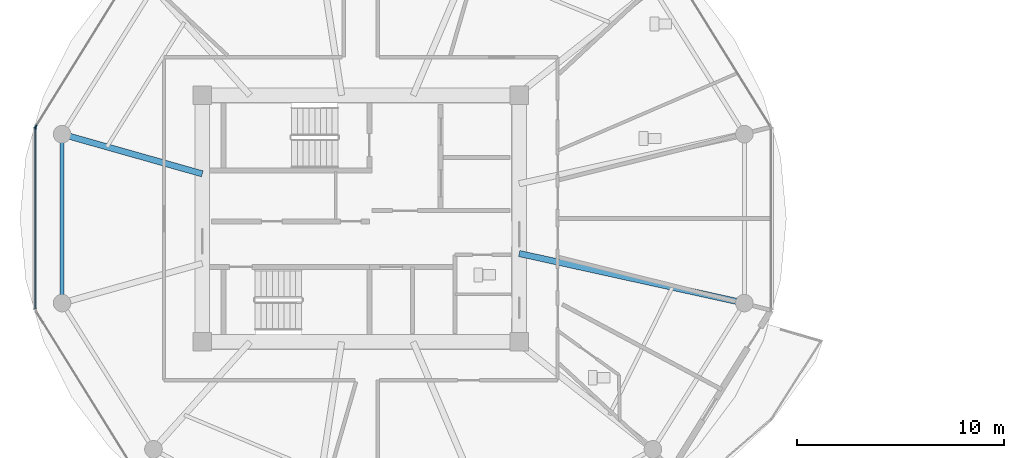
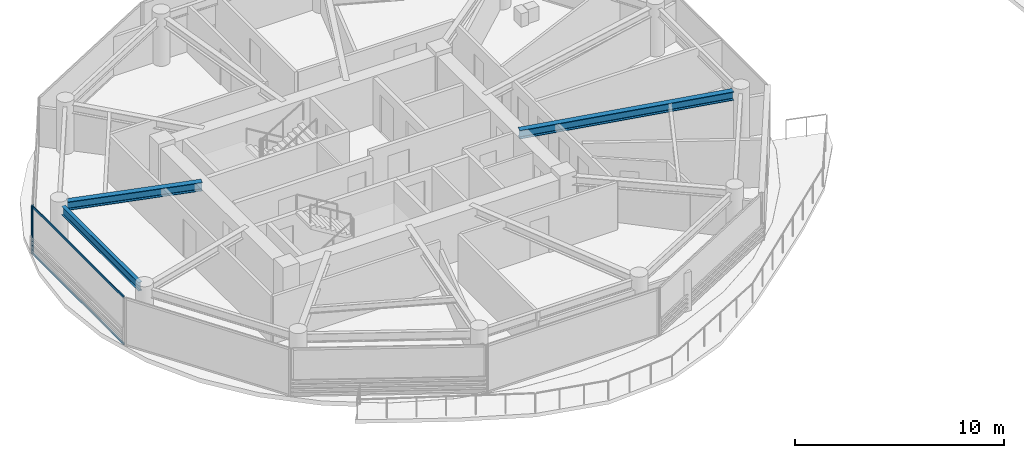
# One storey, part 3 of 24: 4 members, 3 beams, 2 elements without a shape of their own.
"""IFC4 building model written with IfcOpenShell, lengths in metres."""

import ifcopenshell
import ifcopenshell.guid

model = None  # the IFC model being written
_history = None  # IfcOwnerHistory: only IFC2X3 demands one
_inside = {}  # id of a spatial element -> (the spatial element, [elements in it])
_under = {}  # id of a project, library or spatial element -> (it, [spatial elements below it])
_declared = {}  # id of a project -> (the project, [libraries it declares])
_typed = {}  # id of a type object -> (the type object, [elements of that type])
_made_of = {}  # id of a material, layer set ... -> (it, [elements and type objects made of it])


def new_model(schema):
    """Start an empty IFC model of exactly this schema.

    Asked for "IFC4X3", IfcOpenShell would pick the latest addendum, in which some entities
    have other attributes; the version numbers below select the first issue.
    IFC2X3 requires an IfcOwnerHistory on every rooted entity: one is made here for all.
    """
    global model, _history
    if schema == "IFC4X3":
        model = ifcopenshell.file(schema_version=(4, 3, 0, 0))
    else:
        model = ifcopenshell.file(schema=schema)
    _inside.clear()
    _under.clear()
    _declared.clear()
    _typed.clear()
    _made_of.clear()
    _history = None
    if model.schema == "IFC2X3":
        org = make("IfcOrganization", Name="unknown")
        user = make(
            "IfcPersonAndOrganization",
            ThePerson=make("IfcPerson", FamilyName="unknown"),
            TheOrganization=org,
        )
        app = make(
            "IfcApplication",
            ApplicationDeveloper=org,
            Version="unknown",
            ApplicationFullName="unknown",
            ApplicationIdentifier="unknown",
        )
        _history = make(
            "IfcOwnerHistory",
            OwningUser=user,
            OwningApplication=app,
            ChangeAction="ADDED",
            CreationDate=0,
        )
    return model


def make(cls, **values):
    """One entity of the class cls with the attributes given. An attribute that is None is left unset."""
    return model.create_entity(
        cls, **{name: value for name, value in values.items() if value is not None}
    )


def rooted(cls, **values):
    """An entity with a GlobalId (a new one), such as an element, a storey or a relation."""
    return make(cls, GlobalId=ifcopenshell.guid.new(), OwnerHistory=_history, **values)


def si_unit(unit_type, name, prefix=None):
    """IfcSIUnit, for example si_unit("LENGTHUNIT", "METRE", prefix="MILLI")."""
    return make("IfcSIUnit", UnitType=unit_type, Prefix=prefix, Name=name)


def assignment(units):
    """IfcUnitAssignment: the units of a project."""
    return None if units is None else make("IfcUnitAssignment", Units=units)


def point(xyz):
    """IfcCartesianPoint."""
    return None if xyz is None else make("IfcCartesianPoint", Coordinates=xyz)


def direction(xyz):
    """IfcDirection."""
    return None if xyz is None else make("IfcDirection", DirectionRatios=xyz)


def frame(location, z_axis=None, x_axis=None):
    """IfcAxis2Placement3D, a coordinate frame: its origin and axes. An axis left out is left unset."""
    return make(
        "IfcAxis2Placement3D",
        Location=point(location),
        Axis=direction(z_axis),
        RefDirection=direction(x_axis),
    )


def frame_2d(location, x_axis=None):
    """IfcAxis2Placement2D, a coordinate frame in the plane: its origin and x axis."""
    return make(
        "IfcAxis2Placement2D", Location=point(location), RefDirection=direction(x_axis)
    )


def origin():
    """The frame at (0, 0, 0) with its axes left unset."""
    return frame((0.0, 0.0, 0.0))


def origin_2d():
    """The frame at (0, 0) in the plane with its x axis left unset."""
    return frame_2d((0.0, 0.0))


def place(relative_to, where):
    """IfcLocalPlacement: puts the frame where relative to a parent placement (None: the world)."""
    return make(
        "IfcLocalPlacement", PlacementRelTo=relative_to, RelativePlacement=where
    )


def context(
    kind, dimensions, precision=None, world=None, true_north=None, identifier=None
):
    """IfcGeometricRepresentationContext, for example the 3D "Model" context."""
    return make(
        "IfcGeometricRepresentationContext",
        ContextIdentifier=identifier,
        ContextType=kind,
        CoordinateSpaceDimension=dimensions,
        Precision=precision,
        WorldCoordinateSystem=world,
        TrueNorth=true_north,
    )


def subcontext(parent, identifier, kind, view, scale=None):
    """IfcGeometricRepresentationSubContext, for example "Body" below "Model"."""
    return make(
        "IfcGeometricRepresentationSubContext",
        ContextIdentifier=identifier,
        ContextType=kind,
        ParentContext=parent,
        TargetScale=scale,
        TargetView=view,
    )


def project(units=None, contexts=None):
    """IfcProject with its units and contexts."""
    return rooted(
        "IfcProject",
        Name="project",
        RepresentationContexts=contexts,
        UnitsInContext=assignment(units),
    )


def spatial(cls, under=None, at=None, **own):
    """A site, building, storey or space (cls), placed at a placement, below another one or the project."""
    s = rooted(cls, ObjectPlacement=at, **own)
    if under is not None:
        _under.setdefault(under.id(), (under, []))[1].append(s)
    return s


def profile(cls, at=None, kind="AREA", **sizes):
    """A parametric profile (cls). Its sizes go by their IFC names, for example OverallWidth=200.0."""
    return make(cls, ProfileType=kind, Position=at, **sizes)


def rectangle(**sizes):
    """IfcRectangleProfileDef."""
    return profile("IfcRectangleProfileDef", **sizes)


def i_section(**sizes):
    """IfcIShapeProfileDef."""
    return profile("IfcIShapeProfileDef", **sizes)


def extrude(swept, where, along, depth):
    """IfcExtrudedAreaSolid: the profile swept, set in the frame where, extruded along a direction by depth."""
    return make(
        "IfcExtrudedAreaSolid",
        SweptArea=swept,
        Position=where,
        ExtrudedDirection=direction(along),
        Depth=depth,
    )


def shape(context_of_items, identifier, shape_type, items):
    """IfcShapeRepresentation: the items that make up one representation, for example the "Body"."""
    return make(
        "IfcShapeRepresentation",
        ContextOfItems=context_of_items,
        RepresentationIdentifier=identifier,
        RepresentationType=shape_type,
        Items=items,
    )


def source(mapping_origin, context_of_items, identifier, shape_type, items):
    """IfcRepresentationMap: a shape defined once, which mapped items show again and again."""
    return make(
        "IfcRepresentationMap",
        MappingOrigin=mapping_origin,
        MappedRepresentation=shape(context_of_items, identifier, shape_type, items),
    )


def transform(
    local_origin,
    x_axis=None,
    y_axis=None,
    z_axis=None,
    scale=None,
    scale2=None,
    scale3=None,
    uniform=True,
):
    """IfcCartesianTransformationOperator3D, or its non-uniform kind. x_axis, y_axis, z_axis: its Axis1, 2, 3."""
    if uniform:
        return make(
            "IfcCartesianTransformationOperator3D",
            Axis1=direction(x_axis),
            Axis2=direction(y_axis),
            LocalOrigin=point(local_origin),
            Scale=scale,
            Axis3=direction(z_axis),
        )
    return make(
        "IfcCartesianTransformationOperator3DnonUniform",
        Axis1=direction(x_axis),
        Axis2=direction(y_axis),
        LocalOrigin=point(local_origin),
        Scale=scale,
        Axis3=direction(z_axis),
        Scale2=scale2,
        Scale3=scale3,
    )


def mapped(mapping_source, mapping_target):
    """IfcMappedItem: shows the shape of a source again, moved by a transform."""
    return make(
        "IfcMappedItem", MappingSource=mapping_source, MappingTarget=mapping_target
    )


def material(Name=None, Category=None):
    """IfcMaterial."""
    return make("IfcMaterial", Name=Name, Category=Category)


def layer(
    of_material, thickness, ventilated=None, Name=None, Category=None, Priority=None
):
    """IfcMaterialLayer: one layer of a wall or slab, of a material (None: an air gap)."""
    return make(
        "IfcMaterialLayer",
        Material=of_material,
        LayerThickness=thickness,
        IsVentilated=ventilated,
        Name=Name,
        Category=Category,
        Priority=Priority,
    )


def layer_set(layers, Name=None):
    """IfcMaterialLayerSet."""
    return make("IfcMaterialLayerSet", MaterialLayers=layers, LayerSetName=Name)


def material_profile(
    of_material, cross_section, Name=None, Category=None, Priority=None
):
    """IfcMaterialProfile: a cross section and its material."""
    return make(
        "IfcMaterialProfile",
        Name=Name,
        Material=of_material,
        Profile=cross_section,
        Priority=Priority,
        Category=Category,
    )


def profile_set(profiles, Name=None, composite=None):
    """IfcMaterialProfileSet."""
    return make(
        "IfcMaterialProfileSet",
        Name=Name,
        MaterialProfiles=profiles,
        CompositeProfile=composite,
    )


def made_of(thing, what):
    """Note that an element or type object is made of a material, layer set ...; save() writes the relation."""
    if what is not None:
        _made_of.setdefault(what.id(), (what, []))[1].append(thing)
    return thing


def type_object(cls, material=None, **own):
    """A type object (cls), such as IfcWallType, which elements share."""
    return made_of(rooted(cls, **own), material)


def type_shapes(of_type, sources):
    """Give a type object the sources (RepresentationMaps) that its elements show as mapped items."""
    of_type.RepresentationMaps = sources


def element(
    cls,
    number,
    at=None,
    inside=None,
    cuts=None,
    type_object=None,
    material=None,
    context=None,
    identifier="Body",
    shape_type=None,
    held_by="IfcProductDefinitionShape",
    body=None,
    shapes=None,
    **own,
):
    """One element of the class cls, such as IfcWall. Its Tag is "e" and its number.

    at: its placement. inside: the storey or other place that contains it. cuts: it is an
    opening in that element (IfcRelVoidsElement). A single representation is given by context,
    identifier, shape_type and body (its items); several are given by shapes. held_by: the class
    of the entity that holds the representations. save() writes the other relations.
    """
    e = rooted(cls, Tag="e%d" % number, ObjectPlacement=at, **own)
    if body is not None:
        shapes = [shape(context, identifier, shape_type, body)]
    if shapes is not None:
        e.Representation = make(held_by, Representations=shapes)
    if inside is not None:
        _inside.setdefault(inside.id(), (inside, []))[1].append(e)
    if cuts is not None:
        rooted(
            "IfcRelVoidsElement", RelatingBuildingElement=cuts, RelatedOpeningElement=e
        )
    if type_object is not None:
        _typed.setdefault(type_object.id(), (type_object, []))[1].append(e)
    return made_of(e, material)


def aggregate(whole, parts):
    """IfcRelAggregates: a whole, such as a stair, and the parts it consists of."""
    return rooted("IfcRelAggregates", RelatingObject=whole, RelatedObjects=parts)


def save(model, path):
    """Write the relations noted so far, then the file.

    IfcRelAggregates (storeys below a building ...), IfcRelContainedInSpatialStructure (elements
    in a storey), IfcRelDefinesByType, IfcRelAssociatesMaterial and IfcRelDeclares: one each for
    every whole, place, type object, material and project.
    """
    for whole, parts in _under.values():
        aggregate(whole, parts)
    for where, things in _inside.values():
        rooted(
            "IfcRelContainedInSpatialStructure",
            RelatedElements=things,
            RelatingStructure=where,
        )
    for kind, things in _typed.values():
        rooted("IfcRelDefinesByType", RelatedObjects=things, RelatingType=kind)
    for what, things in _made_of.values():
        rooted("IfcRelAssociatesMaterial", RelatedObjects=things, RelatingMaterial=what)
    for by, libraries in _declared.values():
        rooted("IfcRelDeclares", RelatingContext=by, RelatedDefinitions=libraries)
    model.write(path)


model = new_model("IFC4")

# Units and contexts
model_context = context("Model", 3, precision=1e-05, world=origin(), true_north=direction((0.0, 1.0)))
body_context = subcontext(model_context, "Body", "Model", "MODEL_VIEW")
ifc_project = project(units=[si_unit("LENGTHUNIT", "METRE"), si_unit("AREAUNIT", "SQUARE_METRE"), si_unit("VOLUMEUNIT", "CUBIC_METRE"), si_unit("PLANEANGLEUNIT", "RADIAN"), si_unit("MASSUNIT", "GRAM", prefix="KILO")], contexts=[model_context])

# Site, building, storey
site_placement = place(None, origin())
site = spatial("IfcSite", under=ifc_project, at=site_placement, CompositionType="ELEMENT")
building_placement = place(site_placement, origin())
building = spatial("IfcBuilding", under=site, at=building_placement, Name="Norrkilde Senior Care Towers", CompositionType="ELEMENT")
storey_placement = place(building_placement, frame((0.0, 0.0, 114.550048828125)))
storey = spatial("IfcBuildingStorey", under=building, at=storey_placement, Name="L35", CompositionType="ELEMENT", Elevation=114.550048828125)

# Beams
ifc_material_1 = material(Name="Steel S355", Category="steel")
ifc_material_profile_1 = material_profile(ifc_material_1, i_section(OverallWidth=0.300048828125, OverallDepth=0.5, WebThickness=0.014404296875, FlangeThickness=0.028076171875, FilletRadius=0.027099609375, at=origin_2d()), Name="HEB 500")
ifc_profile_set_1 = profile_set([ifc_material_profile_1], Name="Steel S355")
beam_type_1 = type_object("IfcBeamType", Name="Radial Floor Beam Z2 HEB500", PredefinedType="BEAM", material=ifc_profile_set_1)
shared_shape_1 = source(origin(), body_context, "Body", "SweptSolid", [
    extrude(i_section(OverallWidth=0.300048828125, OverallDepth=0.5, WebThickness=0.014404296875, FlangeThickness=0.028076171875, FilletRadius=0.027099609375, at=origin_2d()), origin(), (0.0, 0.0, 1.0), 10.744384765625),
])
beam_1_placement = place(storey_placement, frame((-20.35009765625, -1.683837890625, 2.5400390625), z_axis=(0.976618711422, -0.214978818724, 0.0), x_axis=(0.214978818724, 0.976618711422, 0.0)))
element("IfcBeam", 1, at=beam_1_placement, inside=storey, type_object=beam_type_1, Name="L35 Drum W Radial Floor Beam 12", PredefinedType="BEAM", context=body_context, shape_type="MappedRepresentation", body=[
    mapped(shared_shape_1, transform((0.0, 0.0, 0.0), x_axis=(1.0, 0.0, 0.0), y_axis=(0.0, 1.0, 0.0), z_axis=(0.0, 0.0, 1.0), scale=1.0)),
])
ifc_material_profile_2 = material_profile(ifc_material_1, i_section(OverallWidth=0.199951171875, OverallDepth=0.5, WebThickness=0.01025390625, FlangeThickness=0.01611328125, FilletRadius=0.02099609375, at=origin_2d()), Name="IPE 500")
ifc_profile_set_2 = profile_set([ifc_material_profile_2], Name="Steel S355")
beam_type_2 = type_object("IfcBeamType", Name="Perimeter Ring Spandrel Z2 IPE500", PredefinedType="SPANDREL", material=ifc_profile_set_2)
shared_shape_2 = source(origin(), body_context, "Body", "SweptSolid", [
    extrude(i_section(OverallWidth=0.199951171875, OverallDepth=0.5, WebThickness=0.01025390625, FlangeThickness=0.01611328125, FilletRadius=0.02099609375, at=origin_2d()), origin(), (0.0, 0.0, 1.0), 7.3828125),
])
type_shapes(beam_type_2, [shared_shape_2])
beam_2_placement = place(storey_placement, frame((-42.4189453125, 3.69140625, 2.5400390625), z_axis=(0.0, -1.0, 0.0), x_axis=(1.0, 0.0, 0.0)))
element("IfcBeam", 2, at=beam_2_placement, inside=storey, type_object=beam_type_2, Name="L35 Drum W Perimeter Spandrel 06", PredefinedType="SPANDREL", context=body_context, shape_type="MappedRepresentation", body=[
    mapped(shared_shape_2, transform((0.0, 0.0, 0.0), x_axis=(1.0, 0.0, 0.0), y_axis=(0.0, 1.0, 0.0), z_axis=(0.0, 0.0, 1.0), scale=1.0)),
])
shared_shape_3 = source(origin(), body_context, "Body", "SweptSolid", [
    extrude(i_section(OverallWidth=0.300048828125, OverallDepth=0.5, WebThickness=0.014404296875, FlangeThickness=0.028076171875, FilletRadius=0.027099609375, at=origin_2d()), origin(), (0.0, 0.0, 1.0), 6.6494140625),
])
type_shapes(beam_type_1, [shared_shape_1, shared_shape_3])
beam_3_placement = place(storey_placement, frame((-35.64990234375, 2.162841796875, 2.5400390625), z_axis=(-0.962289138357, 0.27202870106, 0.0), x_axis=(-0.27202870106, -0.962289138357, 0.0)))
element("IfcBeam", 3, at=beam_3_placement, inside=storey, type_object=beam_type_1, Name="L35 Drum W Radial Floor Beam 06", PredefinedType="BEAM", context=body_context, shape_type="MappedRepresentation", body=[
    mapped(shared_shape_3, transform((0.0, 0.0, 0.0), x_axis=(1.0, 0.0, 0.0), y_axis=(0.0, 1.0, 0.0), z_axis=(0.0, 0.0, 1.0), scale=1.0)),
])

# Curtain wall, member
ifc_material_2 = material(Name="Triple Low-E Insulated Glazing", Category="glass")
ifc_layer = layer(ifc_material_2, 0.195068359375)
ifc_layer_set = layer_set([ifc_layer], Name="Triple Low-E Insulated Glazing")
curtain_wall_type = type_object("IfcCurtainWallType", Name="CW3 Zone 2 Assisted Living Curtain Wall", PredefinedType="NOTDEFINED", material=ifc_layer_set)
curtain_wall_1_placement = place(storey_placement, origin())
curtain_wall_1 = element("IfcCurtainWall", 4, at=curtain_wall_1_placement, inside=storey, type_object=curtain_wall_type, Name="L35 Drum W Curtain Wall 04", PredefinedType="NOTDEFINED")
ifc_material_3 = material(Name="Anodised Aluminium", Category="aluminium")
ifc_material_profile_3 = material_profile(ifc_material_3, rectangle(XDim=0.06494140625, YDim=0.159912109375, at=origin_2d()), Name="ALU MULL 65x160")
ifc_profile_set_3 = profile_set([ifc_material_profile_3], Name="Anodised Aluminium")
member_type_1 = type_object("IfcMemberType", Name="Curtain Wall Mullion Z1-Z2 65x160", PredefinedType="MULLION", material=ifc_profile_set_3)
shared_shape_4 = source(origin(), body_context, "Body", "SweptSolid", [
    extrude(rectangle(XDim=0.06494140625, YDim=0.159912109375, at=origin_2d()), origin(), (0.0, 0.0, 1.0), 2.7900390625),
])
type_shapes(member_type_1, [shared_shape_4])
member_1_placement = place(storey_placement, frame((-43.6865234375, 4.4482421875, 0.0), z_axis=(0.0, 0.0, 1.0), x_axis=(-0.849410171862, 0.527733228002, 0.0)))
member_1 = element("IfcMember", 5, at=member_1_placement, type_object=member_type_1, Name="CW-3 mullion 1", PredefinedType="MULLION", context=body_context, shape_type="MappedRepresentation", body=[
    mapped(shared_shape_4, transform((0.0, 0.0, 0.0), x_axis=(1.0, 0.0, 0.0), y_axis=(0.0, 1.0, 0.0), z_axis=(0.0, 0.0, 1.0), scale=1.0)),
])
aggregate(curtain_wall_1, [member_1])

# Curtain wall, members
curtain_wall_2_placement = place(storey_placement, origin())
curtain_wall_2 = element("IfcCurtainWall", 6, at=curtain_wall_2_placement, inside=storey, type_object=curtain_wall_type, Name="L35 Drum W Curtain Wall 05", PredefinedType="NOTDEFINED")
member_2_placement = place(storey_placement, frame((-43.70361328125, 4.38818359375, 0.0), z_axis=(0.0, 0.0, 1.0), x_axis=(-1.0, 0.0, 0.0)))
member_2 = element("IfcMember", 7, at=member_2_placement, type_object=member_type_1, Name="CW-3 mullion 2", PredefinedType="MULLION", context=body_context, shape_type="MappedRepresentation", body=[
    mapped(shared_shape_4, transform((0.0, 0.0, 0.0), x_axis=(1.0, 0.0, 0.0), y_axis=(0.0, 1.0, 0.0), z_axis=(0.0, 0.0, 1.0), scale=1.0)),
])
ifc_material_profile_4 = material_profile(ifc_material_3, rectangle(XDim=0.06005859375, YDim=0.1201171875, at=origin_2d()), Name="ALU TRAN 60x120")
ifc_profile_set_4 = profile_set([ifc_material_profile_4], Name="Anodised Aluminium")
member_type_2 = type_object("IfcMemberType", Name="Curtain Wall Transom Typical 60x120", PredefinedType="USERDEFINED", material=ifc_profile_set_4)
shared_shape_5 = source(origin(), body_context, "Body", "SweptSolid", [
    extrude(rectangle(XDim=0.06005859375, YDim=0.1201171875, at=origin_2d()), origin(), (0.0, 0.0, 1.0), 8.71142578125),
])
type_shapes(member_type_2, [shared_shape_5])
member_3_placement = place(storey_placement, frame((-43.70361328125, -4.355712890625, 0.030029296875), z_axis=(0.0, 1.0, 0.0), x_axis=(-1.0, 0.0, 0.0)))
member_3 = element("IfcMember", 8, at=member_3_placement, type_object=member_type_2, Name="CW-3 transom 1.1", ObjectType="TRANSOM", PredefinedType="USERDEFINED", context=body_context, shape_type="MappedRepresentation", body=[
    mapped(shared_shape_5, transform((0.0, 0.0, 0.0), x_axis=(1.0, 0.0, 0.0), y_axis=(0.0, 1.0, 0.0), z_axis=(0.0, 0.0, 1.0), scale=1.0)),
])
member_4_placement = place(storey_placement, frame((-43.70361328125, -4.355712890625, 2.760009765625), z_axis=(0.0, 1.0, 0.0), x_axis=(-1.0, 0.0, 0.0)))
member_4 = element("IfcMember", 9, at=member_4_placement, type_object=member_type_2, Name="CW-3 transom 1.2", ObjectType="TRANSOM", PredefinedType="USERDEFINED", context=body_context, shape_type="MappedRepresentation", body=[
    mapped(shared_shape_5, transform((0.0, 0.0, 0.0), x_axis=(1.0, 0.0, 0.0), y_axis=(0.0, 1.0, 0.0), z_axis=(0.0, 0.0, 1.0), scale=1.0)),
])
aggregate(curtain_wall_2, [member_2, member_3, member_4])

save(model, "model.ifc")
